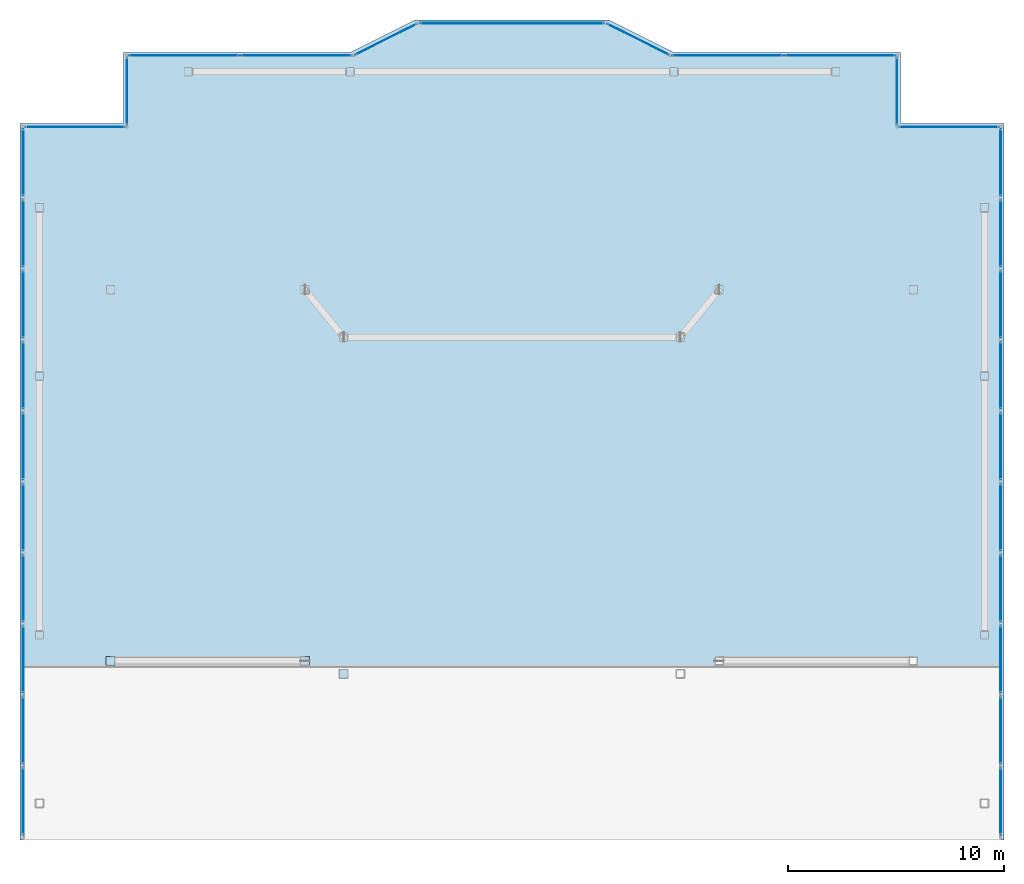
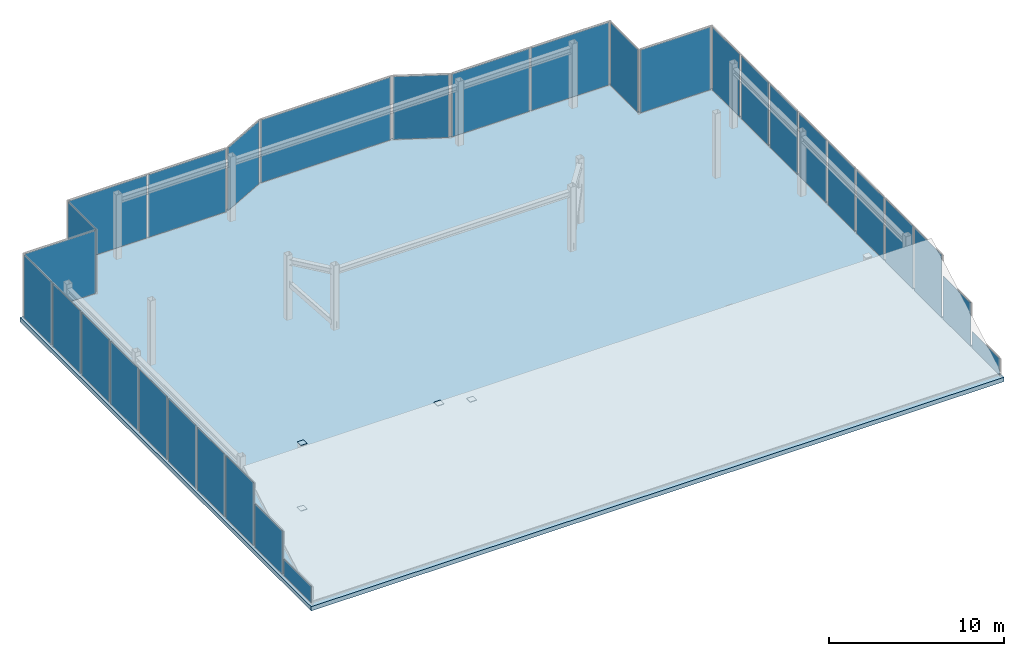
# One storey, part 12 of 15: 35 plates, 1 slab, 29 elements without a shape of their own.
"""IFC4 building model written with IfcOpenShell, lengths in metres."""

from ifc_helpers import new_model, si_unit, direction, frame, origin, origin_2d, place, context, subcontext, project, spatial, polyline, rectangle, outline, extrude, material, layer, layer_set, type_object, element, aggregate, save


model = new_model("IFC4")

# Units and contexts
model_context = context("Model", 3, precision=1e-05, world=origin(), true_north=direction((0.0, 1.0)))
body_context = subcontext(model_context, "Body", "Model", "MODEL_VIEW")
ifc_project = project(units=[si_unit("LENGTHUNIT", "METRE"), si_unit("AREAUNIT", "SQUARE_METRE"), si_unit("VOLUMEUNIT", "CUBIC_METRE"), si_unit("PLANEANGLEUNIT", "RADIAN"), si_unit("MASSUNIT", "GRAM", prefix="KILO")], contexts=[model_context])

# Site, building, storey
site_placement = place(None, origin())
site = spatial("IfcSite", under=ifc_project, at=site_placement, CompositionType="ELEMENT")
building_placement = place(site_placement, origin())
building = spatial("IfcBuilding", under=site, at=building_placement, Name="Tarnavaz Court Tower", CompositionType="ELEMENT")
storey_placement = place(building_placement, frame((0.0, 0.0, 295.050048828125)))
storey = spatial("IfcBuildingStorey", under=building, at=storey_placement, Name="C04", CompositionType="ELEMENT", Elevation=295.050048828125)

# Curtain wall, plate
ifc_material_1 = material(Name="Anodised Aluminium 6063-T6 and Solar Low-E Glazing", Category="aluminium")
ifc_layer_1 = layer(ifc_material_1, 0.2099609375)
ifc_layer_set_1 = layer_set([ifc_layer_1], Name="Anodised Aluminium 6063-T6 and Solar Low-E Glazing")
curtain_wall_type = type_object("IfcCurtainWallType", Name="CW-SYS-06", PredefinedType="NOTDEFINED", material=ifc_layer_set_1)
curtain_wall_1_placement = place(storey_placement, origin())
curtain_wall_1 = element("IfcCurtainWall", 1, at=curtain_wall_1_placement, inside=storey, type_object=curtain_wall_type, Name="C04 Slanted Crown Terracotta Curtain Wall 1", PredefinedType="NOTDEFINED")
ifc_material_2 = material(Name="Double-Glazed Solar Low-E Glass", Category="glass")
ifc_layer_2 = layer(ifc_material_2, 0.028076171875)
ifc_layer_set_2 = layer_set([ifc_layer_2], Name="Double-Glazed Solar Low-E Glass")
plate_type_1 = type_object("IfcPlateType", Name="CW-PAN-GLZ28", PredefinedType="CURTAIN_PANEL", material=ifc_layer_set_2)
plate_1_placement = place(storey_placement, frame((-20.25, 17.550048828125, 0.06494140625), z_axis=(0.0, 0.0, 1.0), x_axis=(1.0, 0.0, 0.0)))
plate_1 = element("IfcPlate", 2, at=plate_1_placement, type_object=plate_type_1, Name="CW panel 1.1", PredefinedType="CURTAIN_PANEL", context=body_context, shape_type="SweptSolid", body=[
    extrude(rectangle(XDim=4.6298828125, YDim=0.028076171875, at=origin_2d()), origin(), (0.0, 0.0, 1.0), 4.3701171875),
])
aggregate(curtain_wall_1, [plate_1])

curtain_wall_2_placement = place(storey_placement, origin())
curtain_wall_2 = element("IfcCurtainWall", 3, at=curtain_wall_2_placement, inside=storey, type_object=curtain_wall_type, Name="C04 Slanted Crown Terracotta Curtain Wall 2", PredefinedType="NOTDEFINED")
plate_2_placement = place(storey_placement, frame((-17.85009765625, 19.199951171875, 0.06494140625), z_axis=(0.0, 0.0, 1.0), x_axis=(0.0, 1.0, 0.0)))
plate_2 = element("IfcPlate", 4, at=plate_2_placement, type_object=plate_type_1, Name="CW panel 1.1", PredefinedType="CURTAIN_PANEL", context=body_context, shape_type="SweptSolid", body=[
    extrude(rectangle(XDim=3.1298828125, YDim=0.028076171875, at=origin_2d()), origin(), (0.0, 0.0, 1.0), 4.3701171875),
])
aggregate(curtain_wall_2, [plate_2])

# Curtain wall, plates
curtain_wall_3_placement = place(storey_placement, origin())
curtain_wall_3 = element("IfcCurtainWall", 5, at=curtain_wall_3_placement, inside=storey, type_object=curtain_wall_type, Name="C04 Slanted Crown Terracotta Curtain Wall 3", PredefinedType="NOTDEFINED")
plate_3_placement = place(storey_placement, frame((-15.203857421875, 20.85009765625, 0.06494140625), z_axis=(0.0, 0.0, 1.0), x_axis=(1.0, 0.0, 0.0)))
plate_3 = element("IfcPlate", 6, at=plate_3_placement, type_object=plate_type_1, Name="CW panel 1.1", PredefinedType="CURTAIN_PANEL", context=body_context, shape_type="SweptSolid", body=[
    extrude(rectangle(XDim=5.12255859375, YDim=0.028076171875, at=origin_2d()), origin(), (0.0, 0.0, 1.0), 4.3701171875),
])
plate_4_placement = place(storey_placement, frame((-9.996337890625, 20.85009765625, 0.06494140625), z_axis=(0.0, 0.0, 1.0), x_axis=(1.0, 0.0, 0.0)))
plate_4 = element("IfcPlate", 7, at=plate_4_placement, type_object=plate_type_1, Name="CW panel 2.1", PredefinedType="CURTAIN_PANEL", context=body_context, shape_type="SweptSolid", body=[
    extrude(rectangle(XDim=5.12255859375, YDim=0.028076171875, at=origin_2d()), origin(), (0.0, 0.0, 1.0), 4.3701171875),
])
aggregate(curtain_wall_3, [plate_3, plate_4])

# Curtain wall, plate
curtain_wall_4_placement = place(storey_placement, origin())
curtain_wall_4 = element("IfcCurtainWall", 8, at=curtain_wall_4_placement, inside=storey, type_object=curtain_wall_type, Name="C04 Slanted Crown Terracotta Curtain Wall 4", PredefinedType="NOTDEFINED")
plate_5_placement = place(storey_placement, frame((-5.85009765625, 21.60009765625, 0.06494140625), z_axis=(0.0, 0.0, 1.0), x_axis=(0.894427191001, 0.447213595499, 0.0)))
plate_5 = element("IfcPlate", 9, at=plate_5_placement, type_object=plate_type_1, Name="CW panel 1.1", PredefinedType="CURTAIN_PANEL", context=body_context, shape_type="SweptSolid", body=[
    extrude(rectangle(XDim=3.18408203125, YDim=0.028076171875, at=origin_2d()), origin(), (0.0, 0.0, 1.0), 4.3701171875),
])
aggregate(curtain_wall_4, [plate_5])

curtain_wall_5_placement = place(storey_placement, origin())
curtain_wall_5 = element("IfcCurtainWall", 10, at=curtain_wall_5_placement, inside=storey, type_object=curtain_wall_type, Name="C04 Slanted Crown Terracotta Curtain Wall 5", PredefinedType="NOTDEFINED")
plate_6_placement = place(storey_placement, frame((0.0, 22.35009765625, 0.06494140625), z_axis=(0.0, 0.0, 1.0), x_axis=(1.0, 0.0, 0.0)))
plate_6 = element("IfcPlate", 11, at=plate_6_placement, type_object=plate_type_1, Name="CW panel 1.1", PredefinedType="CURTAIN_PANEL", context=body_context, shape_type="SweptSolid", body=[
    extrude(rectangle(XDim=8.530029296875, YDim=0.028076171875, at=origin_2d()), origin(), (0.0, 0.0, 1.0), 4.3701171875),
])
aggregate(curtain_wall_5, [plate_6])

curtain_wall_6_placement = place(storey_placement, origin())
curtain_wall_6 = element("IfcCurtainWall", 12, at=curtain_wall_6_placement, inside=storey, type_object=curtain_wall_type, Name="C04 Slanted Crown Terracotta Curtain Wall 6", PredefinedType="NOTDEFINED")
plate_7_placement = place(storey_placement, frame((5.85009765625, 21.60009765625, 0.06494140625), z_axis=(0.0, 0.0, 1.0), x_axis=(0.894427191001, -0.447213595499, 0.0)))
plate_7 = element("IfcPlate", 13, at=plate_7_placement, type_object=plate_type_1, Name="CW panel 1.1", PredefinedType="CURTAIN_PANEL", context=body_context, shape_type="SweptSolid", body=[
    extrude(rectangle(XDim=3.18408203125, YDim=0.028076171875, at=origin_2d()), origin(), (0.0, 0.0, 1.0), 4.3701171875),
])
aggregate(curtain_wall_6, [plate_7])

# Curtain wall, plates
curtain_wall_7_placement = place(storey_placement, origin())
curtain_wall_7 = element("IfcCurtainWall", 14, at=curtain_wall_7_placement, inside=storey, type_object=curtain_wall_type, Name="C04 Slanted Crown Terracotta Curtain Wall 7", PredefinedType="NOTDEFINED")
plate_8_placement = place(storey_placement, frame((9.996337890625, 20.85009765625, 0.06494140625), z_axis=(0.0, 0.0, 1.0), x_axis=(1.0, 0.0, 0.0)))
plate_8 = element("IfcPlate", 15, at=plate_8_placement, type_object=plate_type_1, Name="CW panel 1.1", PredefinedType="CURTAIN_PANEL", context=body_context, shape_type="SweptSolid", body=[
    extrude(rectangle(XDim=5.12255859375, YDim=0.028076171875, at=origin_2d()), origin(), (0.0, 0.0, 1.0), 4.3701171875),
])
plate_9_placement = place(storey_placement, frame((15.203857421875, 20.85009765625, 0.06494140625), z_axis=(0.0, 0.0, 1.0), x_axis=(1.0, 0.0, 0.0)))
plate_9 = element("IfcPlate", 16, at=plate_9_placement, type_object=plate_type_1, Name="CW panel 2.1", PredefinedType="CURTAIN_PANEL", context=body_context, shape_type="SweptSolid", body=[
    extrude(rectangle(XDim=5.12255859375, YDim=0.028076171875, at=origin_2d()), origin(), (0.0, 0.0, 1.0), 4.3701171875),
])
aggregate(curtain_wall_7, [plate_8, plate_9])

# Curtain wall, plate
curtain_wall_8_placement = place(storey_placement, origin())
curtain_wall_8 = element("IfcCurtainWall", 17, at=curtain_wall_8_placement, inside=storey, type_object=curtain_wall_type, Name="C04 Slanted Crown Terracotta Curtain Wall 8", PredefinedType="NOTDEFINED")
plate_10_placement = place(storey_placement, frame((17.85009765625, 19.199951171875, 0.06494140625), z_axis=(0.0, 0.0, 1.0), x_axis=(0.0, -1.0, 0.0)))
plate_10 = element("IfcPlate", 18, at=plate_10_placement, type_object=plate_type_1, Name="CW panel 1.1", PredefinedType="CURTAIN_PANEL", context=body_context, shape_type="SweptSolid", body=[
    extrude(rectangle(XDim=3.1298828125, YDim=0.028076171875, at=origin_2d()), origin(), (0.0, 0.0, 1.0), 4.3701171875),
])
aggregate(curtain_wall_8, [plate_10])

curtain_wall_9_placement = place(storey_placement, origin())
curtain_wall_9 = element("IfcCurtainWall", 19, at=curtain_wall_9_placement, inside=storey, type_object=curtain_wall_type, Name="C04 Slanted Crown Terracotta Curtain Wall 9", PredefinedType="NOTDEFINED")
plate_11_placement = place(storey_placement, frame((20.25, 17.550048828125, 0.06494140625), z_axis=(0.0, 0.0, 1.0), x_axis=(1.0, 0.0, 0.0)))
plate_11 = element("IfcPlate", 20, at=plate_11_placement, type_object=plate_type_1, Name="CW panel 1.1", PredefinedType="CURTAIN_PANEL", context=body_context, shape_type="SweptSolid", body=[
    extrude(rectangle(XDim=4.6298828125, YDim=0.028076171875, at=origin_2d()), origin(), (0.0, 0.0, 1.0), 4.3701171875),
])
aggregate(curtain_wall_9, [plate_11])

curtain_wall_10_placement = place(storey_placement, origin())
curtain_wall_10 = element("IfcCurtainWall", 21, at=curtain_wall_10_placement, inside=storey, type_object=curtain_wall_type, Name="C04 Slanted Crown Terracotta Curtain Wall 10", PredefinedType="NOTDEFINED")
plate_12_placement = place(storey_placement, frame((22.64990234375, 15.905029296875, 0.06494140625), z_axis=(0.0, 0.0, 1.0), x_axis=(0.0, -1.0, 0.0)))
plate_12 = element("IfcPlate", 22, at=plate_12_placement, type_object=plate_type_1, Name="CW panel 1.1", PredefinedType="CURTAIN_PANEL", context=body_context, shape_type="SweptSolid", body=[
    extrude(rectangle(XDim=3.1201171875, YDim=0.028076171875, at=origin_2d()), origin(), (0.0, 0.0, 1.0), 4.3701171875),
])
aggregate(curtain_wall_10, [plate_12])

curtain_wall_11_placement = place(storey_placement, origin())
curtain_wall_11 = element("IfcCurtainWall", 23, at=curtain_wall_11_placement, inside=storey, type_object=curtain_wall_type, Name="C04 Slanted Crown Terracotta Curtain Wall 11", PredefinedType="NOTDEFINED")
plate_13_placement = place(storey_placement, frame((22.64990234375, 12.614990234375, 0.06494140625), z_axis=(0.0, 0.0, 1.0), x_axis=(0.0, -1.0, 0.0)))
plate_13 = element("IfcPlate", 24, at=plate_13_placement, type_object=plate_type_1, Name="CW panel 1.1", PredefinedType="CURTAIN_PANEL", context=body_context, shape_type="SweptSolid", body=[
    extrude(rectangle(XDim=3.1201171875, YDim=0.028076171875, at=origin_2d()), origin(), (0.0, 0.0, 1.0), 4.3701171875),
])
aggregate(curtain_wall_11, [plate_13])

curtain_wall_12_placement = place(storey_placement, origin())
curtain_wall_12 = element("IfcCurtainWall", 25, at=curtain_wall_12_placement, inside=storey, type_object=curtain_wall_type, Name="C04 Slanted Crown Terracotta Curtain Wall 12", PredefinedType="NOTDEFINED")
plate_14_placement = place(storey_placement, frame((22.64990234375, 9.324951171875, 0.06494140625), z_axis=(0.0, 0.0, 1.0), x_axis=(0.0, -1.0, 0.0)))
plate_14 = element("IfcPlate", 26, at=plate_14_placement, type_object=plate_type_1, Name="CW panel 1.1", PredefinedType="CURTAIN_PANEL", context=body_context, shape_type="SweptSolid", body=[
    extrude(rectangle(XDim=3.1201171875, YDim=0.028076171875, at=origin_2d()), origin(), (0.0, 0.0, 1.0), 4.3701171875),
])
aggregate(curtain_wall_12, [plate_14])

curtain_wall_13_placement = place(storey_placement, origin())
curtain_wall_13 = element("IfcCurtainWall", 27, at=curtain_wall_13_placement, inside=storey, type_object=curtain_wall_type, Name="C04 Slanted Crown Terracotta Curtain Wall 13", PredefinedType="NOTDEFINED")
plate_15_placement = place(storey_placement, frame((22.64990234375, 6.034912109375, 0.06494140625), z_axis=(0.0, 0.0, 1.0), x_axis=(0.0, -1.0, 0.0)))
plate_15 = element("IfcPlate", 28, at=plate_15_placement, type_object=plate_type_1, Name="CW panel 1.1", PredefinedType="CURTAIN_PANEL", context=body_context, shape_type="SweptSolid", body=[
    extrude(rectangle(XDim=3.1201171875, YDim=0.028076171875, at=origin_2d()), origin(), (0.0, 0.0, 1.0), 4.3701171875),
])
aggregate(curtain_wall_13, [plate_15])

curtain_wall_14_placement = place(storey_placement, origin())
curtain_wall_14 = element("IfcCurtainWall", 29, at=curtain_wall_14_placement, inside=storey, type_object=curtain_wall_type, Name="C04 Slanted Crown Terracotta Curtain Wall 14", PredefinedType="NOTDEFINED")
plate_16_placement = place(storey_placement, frame((22.64990234375, 2.7451171875, 0.06494140625), z_axis=(0.0, 0.0, 1.0), x_axis=(0.0, -1.0, 0.0)))
plate_16 = element("IfcPlate", 30, at=plate_16_placement, type_object=plate_type_1, Name="CW panel 1.1", PredefinedType="CURTAIN_PANEL", context=body_context, shape_type="SweptSolid", body=[
    extrude(rectangle(XDim=3.1201171875, YDim=0.028076171875, at=origin_2d()), origin(), (0.0, 0.0, 1.0), 4.3701171875),
])
aggregate(curtain_wall_14, [plate_16])

curtain_wall_15_placement = place(storey_placement, origin())
curtain_wall_15 = element("IfcCurtainWall", 31, at=curtain_wall_15_placement, inside=storey, type_object=curtain_wall_type, Name="C04 Slanted Crown Terracotta Curtain Wall 15", PredefinedType="NOTDEFINED")
plate_17_placement = place(storey_placement, frame((22.64990234375, -0.544921875, 0.06494140625), z_axis=(0.0, 0.0, 1.0), x_axis=(0.0, -1.0, 0.0)))
plate_17 = element("IfcPlate", 32, at=plate_17_placement, type_object=plate_type_1, Name="CW panel 1.1", PredefinedType="CURTAIN_PANEL", context=body_context, shape_type="SweptSolid", body=[
    extrude(rectangle(XDim=3.1201171875, YDim=0.028076171875, at=origin_2d()), origin(), (0.0, 0.0, 1.0), 4.3701171875),
])
aggregate(curtain_wall_15, [plate_17])

curtain_wall_16_placement = place(storey_placement, origin())
curtain_wall_16 = element("IfcCurtainWall", 33, at=curtain_wall_16_placement, inside=storey, type_object=curtain_wall_type, Name="C04 Slanted Crown Terracotta Curtain Wall 16", PredefinedType="NOTDEFINED")
plate_18_placement = place(storey_placement, frame((22.64990234375, -3.8349609375, 0.06494140625), z_axis=(0.0, 0.0, 1.0), x_axis=(0.0, -1.0, 0.0)))
plate_18 = element("IfcPlate", 34, at=plate_18_placement, type_object=plate_type_1, Name="CW panel 1.1", PredefinedType="CURTAIN_PANEL", context=body_context, shape_type="SweptSolid", body=[
    extrude(rectangle(XDim=3.1201171875, YDim=0.028076171875, at=origin_2d()), origin(), (0.0, 0.0, 1.0), 4.3701171875),
])
aggregate(curtain_wall_16, [plate_18])

curtain_wall_17_placement = place(storey_placement, origin())
curtain_wall_17 = element("IfcCurtainWall", 35, at=curtain_wall_17_placement, inside=storey, type_object=curtain_wall_type, Name="C04 Slanted Crown Terracotta Curtain Wall 17", PredefinedType="NOTDEFINED")
plate_19_placement = place(storey_placement, frame((22.64990234375, -7.125, 0.06494140625), z_axis=(0.0, 0.0, 1.0), x_axis=(0.0, -1.0, 0.0)))
plate_19 = element("IfcPlate", 36, at=plate_19_placement, type_object=plate_type_1, Name="CW panel 1.1", PredefinedType="CURTAIN_PANEL", context=body_context, shape_type="SweptSolid", body=[
    extrude(rectangle(XDim=3.1201171875, YDim=0.028076171875, at=origin_2d()), origin(), (0.0, 0.0, 1.0), 4.3701171875),
])
aggregate(curtain_wall_17, [plate_19])

curtain_wall_18_placement = place(storey_placement, origin())
curtain_wall_18 = element("IfcCurtainWall", 37, at=curtain_wall_18_placement, inside=storey, type_object=curtain_wall_type, Name="C04 Slanted Crown Terracotta Curtain Wall 18", PredefinedType="NOTDEFINED")
plate_20_placement = place(storey_placement, frame((22.64990234375, -10.4150390625, 0.06494140625), z_axis=(0.0, 0.0, 1.0), x_axis=(0.0, -1.0, 0.0)))
plate_20 = element("IfcPlate", 38, at=plate_20_placement, type_object=plate_type_1, Name="CW panel 1.1", PredefinedType="CURTAIN_PANEL", context=body_context, shape_type="SweptSolid", body=[
    extrude(rectangle(XDim=3.1201171875, YDim=0.028076171875, at=origin_2d()), origin(), (0.0, 0.0, 1.0), 3.0146484375),
])
aggregate(curtain_wall_18, [plate_20])

curtain_wall_19_placement = place(storey_placement, origin())
curtain_wall_19 = element("IfcCurtainWall", 39, at=curtain_wall_19_placement, inside=storey, type_object=curtain_wall_type, Name="C04 Slanted Crown Terracotta Curtain Wall 19", PredefinedType="NOTDEFINED")
plate_21_placement = place(storey_placement, frame((22.64990234375, -13.705078125, 0.06494140625), z_axis=(0.0, 0.0, 1.0), x_axis=(0.0, -1.0, 0.0)))
plate_21 = element("IfcPlate", 40, at=plate_21_placement, type_object=plate_type_1, Name="CW panel 1.1", PredefinedType="CURTAIN_PANEL", context=body_context, shape_type="SweptSolid", body=[
    extrude(rectangle(XDim=3.1201171875, YDim=0.028076171875, at=origin_2d()), origin(), (0.0, 0.0, 1.0), 1.154052734375),
])
aggregate(curtain_wall_19, [plate_21])

curtain_wall_20_placement = place(storey_placement, origin())
curtain_wall_20 = element("IfcCurtainWall", 41, at=curtain_wall_20_placement, inside=storey, type_object=curtain_wall_type, Name="C04 Slanted Crown Terracotta Curtain Wall 20", PredefinedType="NOTDEFINED")
plate_22_placement = place(storey_placement, frame((-22.64990234375, -13.705078125, 0.06494140625), z_axis=(0.0, 0.0, 1.0), x_axis=(0.0, 1.0, 0.0)))
plate_22 = element("IfcPlate", 42, at=plate_22_placement, type_object=plate_type_1, Name="CW panel 1.1", PredefinedType="CURTAIN_PANEL", context=body_context, shape_type="SweptSolid", body=[
    extrude(rectangle(XDim=3.1201171875, YDim=0.028076171875, at=origin_2d()), origin(), (0.0, 0.0, 1.0), 1.154052734375),
])
aggregate(curtain_wall_20, [plate_22])

curtain_wall_21_placement = place(storey_placement, origin())
curtain_wall_21 = element("IfcCurtainWall", 43, at=curtain_wall_21_placement, inside=storey, type_object=curtain_wall_type, Name="C04 Slanted Crown Terracotta Curtain Wall 21", PredefinedType="NOTDEFINED")
plate_23_placement = place(storey_placement, frame((-22.64990234375, -10.4150390625, 0.06494140625), z_axis=(0.0, 0.0, 1.0), x_axis=(0.0, 1.0, 0.0)))
plate_23 = element("IfcPlate", 44, at=plate_23_placement, type_object=plate_type_1, Name="CW panel 1.1", PredefinedType="CURTAIN_PANEL", context=body_context, shape_type="SweptSolid", body=[
    extrude(rectangle(XDim=3.1201171875, YDim=0.028076171875, at=origin_2d()), origin(), (0.0, 0.0, 1.0), 3.0146484375),
])
aggregate(curtain_wall_21, [plate_23])

curtain_wall_22_placement = place(storey_placement, origin())
curtain_wall_22 = element("IfcCurtainWall", 45, at=curtain_wall_22_placement, inside=storey, type_object=curtain_wall_type, Name="C04 Slanted Crown Terracotta Curtain Wall 22", PredefinedType="NOTDEFINED")
plate_24_placement = place(storey_placement, frame((-22.64990234375, -7.125, 0.06494140625), z_axis=(0.0, 0.0, 1.0), x_axis=(0.0, 1.0, 0.0)))
plate_24 = element("IfcPlate", 46, at=plate_24_placement, type_object=plate_type_1, Name="CW panel 1.1", PredefinedType="CURTAIN_PANEL", context=body_context, shape_type="SweptSolid", body=[
    extrude(rectangle(XDim=3.1201171875, YDim=0.028076171875, at=origin_2d()), origin(), (0.0, 0.0, 1.0), 4.3701171875),
])
aggregate(curtain_wall_22, [plate_24])

curtain_wall_23_placement = place(storey_placement, origin())
curtain_wall_23 = element("IfcCurtainWall", 47, at=curtain_wall_23_placement, inside=storey, type_object=curtain_wall_type, Name="C04 Slanted Crown Terracotta Curtain Wall 23", PredefinedType="NOTDEFINED")
plate_25_placement = place(storey_placement, frame((-22.64990234375, -3.8349609375, 0.06494140625), z_axis=(0.0, 0.0, 1.0), x_axis=(0.0, 1.0, 0.0)))
plate_25 = element("IfcPlate", 48, at=plate_25_placement, type_object=plate_type_1, Name="CW panel 1.1", PredefinedType="CURTAIN_PANEL", context=body_context, shape_type="SweptSolid", body=[
    extrude(rectangle(XDim=3.1201171875, YDim=0.028076171875, at=origin_2d()), origin(), (0.0, 0.0, 1.0), 4.3701171875),
])
aggregate(curtain_wall_23, [plate_25])

curtain_wall_24_placement = place(storey_placement, origin())
curtain_wall_24 = element("IfcCurtainWall", 49, at=curtain_wall_24_placement, inside=storey, type_object=curtain_wall_type, Name="C04 Slanted Crown Terracotta Curtain Wall 24", PredefinedType="NOTDEFINED")
plate_26_placement = place(storey_placement, frame((-22.64990234375, -0.544921875, 0.06494140625), z_axis=(0.0, 0.0, 1.0), x_axis=(0.0, 1.0, 0.0)))
plate_26 = element("IfcPlate", 50, at=plate_26_placement, type_object=plate_type_1, Name="CW panel 1.1", PredefinedType="CURTAIN_PANEL", context=body_context, shape_type="SweptSolid", body=[
    extrude(rectangle(XDim=3.1201171875, YDim=0.028076171875, at=origin_2d()), origin(), (0.0, 0.0, 1.0), 4.3701171875),
])
aggregate(curtain_wall_24, [plate_26])

curtain_wall_25_placement = place(storey_placement, origin())
curtain_wall_25 = element("IfcCurtainWall", 51, at=curtain_wall_25_placement, inside=storey, type_object=curtain_wall_type, Name="C04 Slanted Crown Terracotta Curtain Wall 25", PredefinedType="NOTDEFINED")
plate_27_placement = place(storey_placement, frame((-22.64990234375, 2.7451171875, 0.06494140625), z_axis=(0.0, 0.0, 1.0), x_axis=(0.0, 1.0, 0.0)))
plate_27 = element("IfcPlate", 52, at=plate_27_placement, type_object=plate_type_1, Name="CW panel 1.1", PredefinedType="CURTAIN_PANEL", context=body_context, shape_type="SweptSolid", body=[
    extrude(rectangle(XDim=3.1201171875, YDim=0.028076171875, at=origin_2d()), origin(), (0.0, 0.0, 1.0), 4.3701171875),
])
aggregate(curtain_wall_25, [plate_27])

curtain_wall_26_placement = place(storey_placement, origin())
curtain_wall_26 = element("IfcCurtainWall", 53, at=curtain_wall_26_placement, inside=storey, type_object=curtain_wall_type, Name="C04 Slanted Crown Terracotta Curtain Wall 26", PredefinedType="NOTDEFINED")
plate_28_placement = place(storey_placement, frame((-22.64990234375, 6.034912109375, 0.06494140625), z_axis=(0.0, 0.0, 1.0), x_axis=(0.0, 1.0, 0.0)))
plate_28 = element("IfcPlate", 54, at=plate_28_placement, type_object=plate_type_1, Name="CW panel 1.1", PredefinedType="CURTAIN_PANEL", context=body_context, shape_type="SweptSolid", body=[
    extrude(rectangle(XDim=3.1201171875, YDim=0.028076171875, at=origin_2d()), origin(), (0.0, 0.0, 1.0), 4.3701171875),
])
aggregate(curtain_wall_26, [plate_28])

curtain_wall_27_placement = place(storey_placement, origin())
curtain_wall_27 = element("IfcCurtainWall", 55, at=curtain_wall_27_placement, inside=storey, type_object=curtain_wall_type, Name="C04 Slanted Crown Terracotta Curtain Wall 27", PredefinedType="NOTDEFINED")
plate_29_placement = place(storey_placement, frame((-22.64990234375, 9.324951171875, 0.06494140625), z_axis=(0.0, 0.0, 1.0), x_axis=(0.0, 1.0, 0.0)))
plate_29 = element("IfcPlate", 56, at=plate_29_placement, type_object=plate_type_1, Name="CW panel 1.1", PredefinedType="CURTAIN_PANEL", context=body_context, shape_type="SweptSolid", body=[
    extrude(rectangle(XDim=3.1201171875, YDim=0.028076171875, at=origin_2d()), origin(), (0.0, 0.0, 1.0), 4.3701171875),
])
aggregate(curtain_wall_27, [plate_29])

curtain_wall_28_placement = place(storey_placement, origin())
curtain_wall_28 = element("IfcCurtainWall", 57, at=curtain_wall_28_placement, inside=storey, type_object=curtain_wall_type, Name="C04 Slanted Crown Terracotta Curtain Wall 28", PredefinedType="NOTDEFINED")
plate_30_placement = place(storey_placement, frame((-22.64990234375, 12.614990234375, 0.06494140625), z_axis=(0.0, 0.0, 1.0), x_axis=(0.0, 1.0, 0.0)))
plate_30 = element("IfcPlate", 58, at=plate_30_placement, type_object=plate_type_1, Name="CW panel 1.1", PredefinedType="CURTAIN_PANEL", context=body_context, shape_type="SweptSolid", body=[
    extrude(rectangle(XDim=3.1201171875, YDim=0.028076171875, at=origin_2d()), origin(), (0.0, 0.0, 1.0), 4.3701171875),
])
aggregate(curtain_wall_28, [plate_30])

curtain_wall_29_placement = place(storey_placement, origin())
curtain_wall_29 = element("IfcCurtainWall", 59, at=curtain_wall_29_placement, inside=storey, type_object=curtain_wall_type, Name="C04 Slanted Crown Terracotta Curtain Wall 29", PredefinedType="NOTDEFINED")
plate_31_placement = place(storey_placement, frame((-22.64990234375, 15.905029296875, 0.06494140625), z_axis=(0.0, 0.0, 1.0), x_axis=(0.0, 1.0, 0.0)))
plate_31 = element("IfcPlate", 60, at=plate_31_placement, type_object=plate_type_1, Name="CW panel 1.1", PredefinedType="CURTAIN_PANEL", context=body_context, shape_type="SweptSolid", body=[
    extrude(rectangle(XDim=3.1201171875, YDim=0.028076171875, at=origin_2d()), origin(), (0.0, 0.0, 1.0), 4.3701171875),
])
aggregate(curtain_wall_29, [plate_31])

# Plates
ifc_material_3 = material(Name="Steel S355", Category="steel")
ifc_layer_3 = layer(ifc_material_3, 0.02490234375)
ifc_layer_set_3 = layer_set([ifc_layer_3], Name="Steel S355")
plate_type_2 = type_object("IfcPlateType", Name="PL-CAP-25", PredefinedType="USERDEFINED", material=ifc_layer_set_3)
for number, where, z_axis, x_axis, name in (
    (61, (-7.800048828125, -7.800048828125, 4.5), (0.0, 0.0, 1.0), (1.0, 0.0, 0.0), "C04 Crown Column Top Cap Plate IW-SW"),
    (62, (-9.60009765625, -7.199951171875, 4.5), (0.0, 0.0, 1.0), (1.0, 0.0, 0.0), "C04 Crown Column Top Cap Plate CW-SI"),
    (63, (-18.60009765625, -7.199951171875, 4.89306640625), (0.0, 0.0, 1.0), (1.0, 0.0, 0.0), "C04 Crown Column Top Cap Plate CW-SO"),
    (64, (-18.60009765625, -7.199951171875, 0.33740234375), (0.0, 0.0, 1.0), (1.0, 0.0, 0.0), "C04 Crown Brace Node Cap Plate W"),
):
    element("IfcPlate", number, at=place(storey_placement, frame(where, z_axis=z_axis, x_axis=x_axis)), inside=storey, type_object=plate_type_2, Name=name, ObjectType="CAP PLATE", PredefinedType="USERDEFINED", context=body_context, shape_type="SweptSolid", body=[
        extrude(rectangle(XDim=0.419921875, YDim=0.419921875, at=origin_2d()), origin(), (0.0, 0.0, 1.0), 0.02490234375),
    ])

# Slab
ifc_material_4 = material(Name="Concrete C40/50", Category="concrete")
ifc_layer_4 = layer(ifc_material_4, 0.300048828125)
ifc_layer_set_4 = layer_set([ifc_layer_4], Name="Concrete C40/50")
slab_type = type_object("IfcSlabType", Name="SL-ROOF-300", PredefinedType="ROOF", material=ifc_layer_set_4)
slab_placement = place(storey_placement, frame((0.0, 0.0, -0.300048828125)))
element("IfcSlab", 65, at=slab_placement, inside=storey, type_object=slab_type, Name="C04 Structural Floor Slab", PredefinedType="ROOF", context=body_context, shape_type="SweptSolid", body=[
    extrude(outline(polyline([(-22.800048828125, 17.699951171875), (-18.0, 17.699951171875), (-18.0, 21.0), (-7.5, 21.0), (-4.5, 22.5), (4.5, 22.5), (7.5, 21.0), (18.0, 21.0), (18.0, 17.699951171875), (22.800048828125, 17.699951171875), (22.800048828125, -15.5), (-22.800048828125, -15.5), (-22.800048828125, 17.699951171875)])), origin(), (0.0, 0.0, 1.0), 0.300048828125),
])

save(model, "model.ifc")
